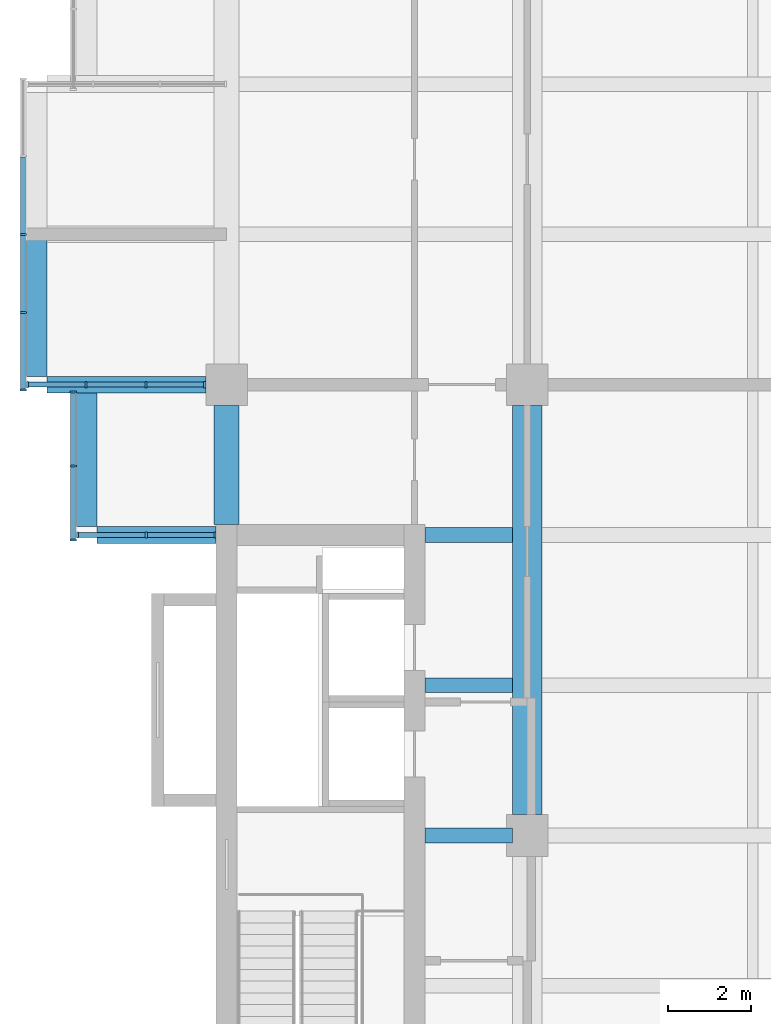
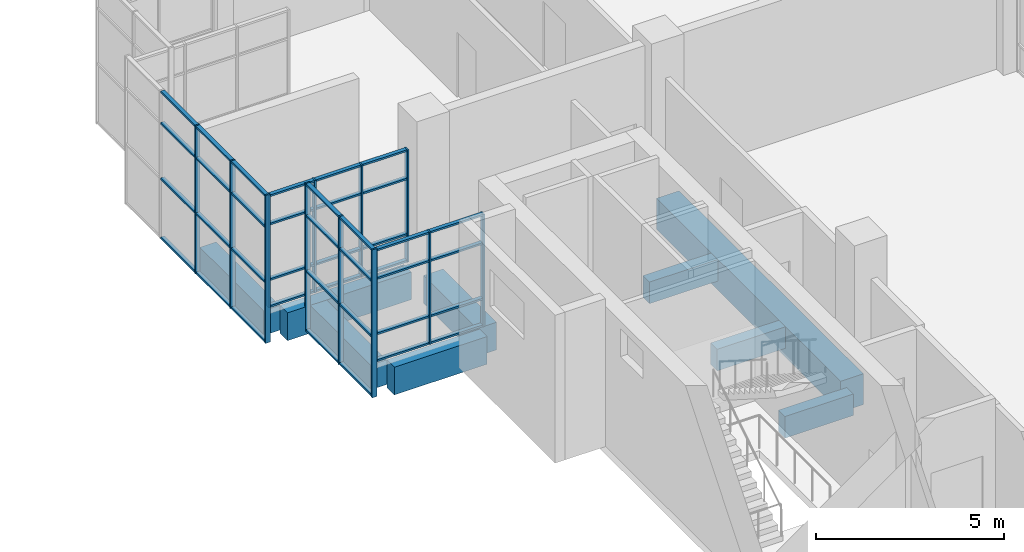
# One storey, part 7 of 44: 53 members, 9 beams, 4 elements without a shape of their own.
"""IFC4 building model written with IfcOpenShell, lengths in metres."""

from ifc_helpers import new_model, si_unit, direction, frame, origin, origin_2d, place, context, subcontext, project, spatial, rectangle, extrude, material, layer, layer_set, material_profile, profile_set, type_object, element, aggregate, save


model = new_model("IFC4")

# Units and contexts
model_context = context("Model", 3, precision=1e-05, world=origin(), true_north=direction((0.0, 1.0)))
body_context = subcontext(model_context, "Body", "Model", "MODEL_VIEW")
ifc_project = project(units=[si_unit("LENGTHUNIT", "METRE"), si_unit("AREAUNIT", "SQUARE_METRE"), si_unit("VOLUMEUNIT", "CUBIC_METRE"), si_unit("PLANEANGLEUNIT", "RADIAN"), si_unit("MASSUNIT", "GRAM", prefix="KILO")], contexts=[model_context])

# Site, building, storey
site_placement = place(None, origin())
site = spatial("IfcSite", under=ifc_project, at=site_placement, CompositionType="ELEMENT")
building_placement = place(site_placement, origin())
building = spatial("IfcBuilding", under=site, at=building_placement, Name="Basin Gate Institute", CompositionType="ELEMENT")
storey_placement = place(building_placement, frame((0.0, 0.0, 27.0)))
storey = spatial("IfcBuildingStorey", under=building, at=storey_placement, Name="L05", CompositionType="ELEMENT", Elevation=27.0)

# Beams
ifc_material_1 = material(Name="Concrete 40 MPa", Category="concrete")
ifc_material_profile_1 = material_profile(ifc_material_1, rectangle(XDim=0.35009765625, YDim=0.699951171875, at=origin_2d()), Name="Beam B1 350 x 700")
ifc_profile_set_1 = profile_set([ifc_material_profile_1], Name="Concrete 40 MPa")
beam_type_1 = type_object("IfcBeamType", Name="Beam B1 R120", PredefinedType="BEAM", material=ifc_profile_set_1)
for number, where, z_axis, x_axis, name in (
    (1, (65.949951171875, 67.5, -0.60009765625), (1.0, 0.0, 0.0), (0.0, 1.0, 0.0), "BEAM/L05/W/CORR/10"),
    (2, (65.949951171875, 71.10009765625, -0.60009765625), (1.0, 0.0, 0.0), (0.0, 1.0, 0.0), "BEAM/L05/W/CORR/11"),
    (3, (65.949951171875, 74.699951171875, -0.60009765625), (1.0, 0.0, 0.0), (0.0, 1.0, 0.0), "BEAM/L05/W/CORR/12"),
):
    element("IfcBeam", number, at=place(storey_placement, frame(where, z_axis=z_axis, x_axis=x_axis)), inside=storey, type_object=beam_type_1, material=ifc_profile_set_1, Name=name, PredefinedType="BEAM", context=body_context, shape_type="SweptSolid", body=[
        extrude(rectangle(XDim=0.35009765625, YDim=0.699951171875, at=origin_2d()), origin(), (0.0, 0.0, 1.0), 2.10009765625),
    ])
ifc_material_2 = material(Name="Concrete 50 MPa", Category="concrete")
ifc_material_profile_2 = material_profile(ifc_material_2, rectangle(XDim=0.39990234375, YDim=0.89990234375, at=origin_2d()), Name="Cantilever beam B3 400 x 900")
ifc_profile_set_2 = profile_set([ifc_material_profile_2], Name="Concrete 50 MPa")
beam_type_2 = type_object("IfcBeamType", Name="Cantilever beam B3 R120", PredefinedType="BEAM", material=ifc_profile_set_2)
beam_1_placement = place(storey_placement, frame((58.10009765625, 74.699951171875, -0.699951171875), z_axis=(1.0, 0.0, 0.0), x_axis=(0.0, 1.0, 0.0)))
element("IfcBeam", 4, at=beam_1_placement, inside=storey, type_object=beam_type_2, material=ifc_profile_set_2, Name="BEAM/L05/W/CANT/12", PredefinedType="BEAM", context=body_context, shape_type="SweptSolid", body=[
    extrude(rectangle(XDim=0.39990234375, YDim=0.89990234375, at=origin_2d()), origin(), (0.0, 0.0, 1.0), 2.849853515625),
])
beam_2_placement = place(storey_placement, frame((56.89990234375, 78.300048828125, -0.699951171875), z_axis=(1.0, 0.0, 0.0), x_axis=(0.0, 1.0, 0.0)))
element("IfcBeam", 5, at=beam_2_placement, inside=storey, type_object=beam_type_2, material=ifc_profile_set_2, Name="BEAM/L05/W/CANT/13", PredefinedType="BEAM", context=body_context, shape_type="SweptSolid", body=[
    extrude(rectangle(XDim=0.39990234375, YDim=0.89990234375, at=origin_2d()), origin(), (0.0, 0.0, 1.0), 3.800048828125),
])
ifc_material_3 = material(Name="Concrete 50 MPa", Category="concrete")
ifc_material_profile_3 = material_profile(ifc_material_3, rectangle(XDim=0.60009765625, YDim=0.89990234375, at=origin_2d()), Name="Edge return beam EB3 600 x 900")
ifc_profile_set_3 = profile_set([ifc_material_profile_3], Name="Concrete 50 MPa")
beam_type_3 = type_object("IfcBeamType", Name="Edge return beam EB3 R120", PredefinedType="SPANDREL", material=ifc_profile_set_3)
beam_3_placement = place(storey_placement, frame((61.199951171875, 74.949951171875, -0.699951171875), z_axis=(0.0, 1.0, 0.0), x_axis=(-1.0, 0.0, 0.0)))
element("IfcBeam", 6, at=beam_3_placement, inside=storey, type_object=beam_type_3, material=ifc_profile_set_3, Name="BEAM/L05/W/EDGE/3", PredefinedType="SPANDREL", context=body_context, shape_type="SweptSolid", body=[
    extrude(rectangle(XDim=0.60009765625, YDim=0.89990234375, at=origin_2d()), origin(), (0.0, 0.0, 1.0), 2.85009765625),
])
ifc_material_4 = material(Name="Concrete 50 MPa", Category="concrete")
ifc_material_profile_4 = material_profile(ifc_material_4, rectangle(XDim=0.699951171875, YDim=1.0, at=origin_2d()), Name="Girder G1 700 x 1000")
ifc_profile_set_4 = profile_set([ifc_material_profile_4], Name="Concrete 50 MPa")
beam_type_4 = type_object("IfcBeamType", Name="Girder G1 R120", PredefinedType="BEAM", material=ifc_profile_set_4)
beam_4_placement = place(storey_placement, frame((68.39990234375, 68.0, -0.75), z_axis=(0.0, 1.0, 0.0), x_axis=(-1.0, 0.0, 0.0)))
element("IfcBeam", 7, at=beam_4_placement, inside=storey, type_object=beam_type_4, material=ifc_profile_set_4, Name="GIR/L05/W5/4", PredefinedType="BEAM", context=body_context, shape_type="SweptSolid", body=[
    extrude(rectangle(XDim=0.699951171875, YDim=1.0, at=origin_2d()), origin(), (0.0, 0.0, 1.0), 9.800048828125),
])

# Curtain wall, members
ifc_material_5 = material(Name="Aluminium-framed glazing", Category="aluminium")
ifc_layer = layer(ifc_material_5, 0.14990234375)
ifc_layer_set = layer_set([ifc_layer], Name="Capsule front curtain wall CW1")
curtain_wall_type = type_object("IfcCurtainWallType", Name="Capsule front curtain wall CW1", PredefinedType="NOTDEFINED", material=ifc_layer_set)
curtain_wall_1_placement = place(storey_placement, origin())
curtain_wall_1 = element("IfcCurtainWall", 8, at=curtain_wall_1_placement, inside=storey, type_object=curtain_wall_type, material=ifc_layer_set, Name="Capsule front curtain wall W wing capsule end L05 line 12", PredefinedType="NOTDEFINED")
ifc_material_6 = material(Name="Aluminium", Category="aluminium")
ifc_material_profile_5 = material_profile(ifc_material_6, rectangle(XDim=0.14990234375, YDim=0.050048828125, at=origin_2d()), Name="Mullion MU1 150 x 50")
ifc_profile_set_5 = profile_set([ifc_material_profile_5], Name="Aluminium")
member_type_1 = type_object("IfcMemberType", Name="Mullion MU1", PredefinedType="MULLION", material=ifc_profile_set_5)
member_1_placement = place(storey_placement, frame((57.625, 74.699951171875, 0.0), z_axis=(0.0, 0.0, 1.0), x_axis=(0.0, 1.0, 0.0)))
member_1 = element("IfcMember", 9, at=member_1_placement, type_object=member_type_1, material=ifc_profile_set_5, Name="CW1 mullion 1", PredefinedType="MULLION", context=body_context, shape_type="SweptSolid", body=[
    extrude(rectangle(XDim=0.14990234375, YDim=0.050048828125, at=origin_2d()), origin(), (0.0, 0.0, 1.0), 3.64990234375),
])
member_2_placement = place(storey_placement, frame((59.27490234375, 74.699951171875, 0.0), z_axis=(0.0, 0.0, 1.0), x_axis=(0.0, 1.0, 0.0)))
member_2 = element("IfcMember", 10, at=member_2_placement, type_object=member_type_1, material=ifc_profile_set_5, Name="CW1 mullion 2", PredefinedType="MULLION", context=body_context, shape_type="SweptSolid", body=[
    extrude(rectangle(XDim=0.14990234375, YDim=0.050048828125, at=origin_2d()), origin(), (0.0, 0.0, 1.0), 3.64990234375),
])
member_3_placement = place(storey_placement, frame((60.925048828125, 74.699951171875, 0.0), z_axis=(0.0, 0.0, 1.0), x_axis=(0.0, 1.0, 0.0)))
member_3 = element("IfcMember", 11, at=member_3_placement, type_object=member_type_1, material=ifc_profile_set_5, Name="CW1 mullion 3", PredefinedType="MULLION", context=body_context, shape_type="SweptSolid", body=[
    extrude(rectangle(XDim=0.14990234375, YDim=0.050048828125, at=origin_2d()), origin(), (0.0, 0.0, 1.0), 3.64990234375),
])

curtain_wall_2_placement = place(storey_placement, origin())
curtain_wall_2 = element("IfcCurtainWall", 12, at=curtain_wall_2_placement, inside=storey, type_object=curtain_wall_type, material=ifc_layer_set, Name="Capsule front curtain wall W wing capsule end L05 line 13", PredefinedType="NOTDEFINED")
member_4_placement = place(storey_placement, frame((56.425048828125, 78.300048828125, 0.0), z_axis=(0.0, 0.0, 1.0), x_axis=(0.0, 1.0, 0.0)))
member_4 = element("IfcMember", 13, at=member_4_placement, type_object=member_type_1, material=ifc_profile_set_5, Name="CW1 mullion 1", PredefinedType="MULLION", context=body_context, shape_type="SweptSolid", body=[
    extrude(rectangle(XDim=0.14990234375, YDim=0.050048828125, at=origin_2d()), origin(), (0.0, 0.0, 1.0), 3.64990234375),
])
member_5_placement = place(storey_placement, frame((57.833251953125, 78.300048828125, 0.0), z_axis=(0.0, 0.0, 1.0), x_axis=(0.0, 1.0, 0.0)))
member_5 = element("IfcMember", 14, at=member_5_placement, type_object=member_type_1, material=ifc_profile_set_5, Name="CW1 mullion 2", PredefinedType="MULLION", context=body_context, shape_type="SweptSolid", body=[
    extrude(rectangle(XDim=0.14990234375, YDim=0.050048828125, at=origin_2d()), origin(), (0.0, 0.0, 1.0), 3.64990234375),
])
member_6_placement = place(storey_placement, frame((59.2666015625, 78.300048828125, 0.0), z_axis=(0.0, 0.0, 1.0), x_axis=(0.0, 1.0, 0.0)))
member_6 = element("IfcMember", 15, at=member_6_placement, type_object=member_type_1, material=ifc_profile_set_5, Name="CW1 mullion 3", PredefinedType="MULLION", context=body_context, shape_type="SweptSolid", body=[
    extrude(rectangle(XDim=0.14990234375, YDim=0.050048828125, at=origin_2d()), origin(), (0.0, 0.0, 1.0), 3.64990234375),
])
member_7_placement = place(storey_placement, frame((60.675048828125, 78.300048828125, 0.0), z_axis=(0.0, 0.0, 1.0), x_axis=(0.0, 1.0, 0.0)))
member_7 = element("IfcMember", 16, at=member_7_placement, type_object=member_type_1, material=ifc_profile_set_5, Name="CW1 mullion 4", PredefinedType="MULLION", context=body_context, shape_type="SweptSolid", body=[
    extrude(rectangle(XDim=0.14990234375, YDim=0.050048828125, at=origin_2d()), origin(), (0.0, 0.0, 1.0), 3.64990234375),
])

curtain_wall_3_placement = place(storey_placement, origin())
curtain_wall_3 = element("IfcCurtainWall", 17, at=curtain_wall_3_placement, inside=storey, type_object=curtain_wall_type, material=ifc_layer_set, Name="Capsule front curtain wall W wing capsule 2 L05 front 1", PredefinedType="NOTDEFINED")
member_8_placement = place(storey_placement, frame((57.52490234375, 74.574951171875, -1.050048828125), z_axis=(0.0, 0.0, 1.0), x_axis=(-1.0, 0.0, 0.0)))
member_8 = element("IfcMember", 18, at=member_8_placement, type_object=member_type_1, material=ifc_profile_set_5, Name="CW1 mullion 1", PredefinedType="MULLION", context=body_context, shape_type="SweptSolid", body=[
    extrude(rectangle(XDim=0.14990234375, YDim=0.050048828125, at=origin_2d()), origin(), (0.0, 0.0, 1.0), 4.800048828125),
])
member_9_placement = place(storey_placement, frame((57.52490234375, 76.35009765625, -1.050048828125), z_axis=(0.0, 0.0, 1.0), x_axis=(-1.0, 0.0, 0.0)))
member_9 = element("IfcMember", 19, at=member_9_placement, type_object=member_type_1, material=ifc_profile_set_5, Name="CW1 mullion 2", PredefinedType="MULLION", context=body_context, shape_type="SweptSolid", body=[
    extrude(rectangle(XDim=0.14990234375, YDim=0.050048828125, at=origin_2d()), origin(), (0.0, 0.0, 1.0), 4.800048828125),
])
member_10_placement = place(storey_placement, frame((57.52490234375, 78.125, -1.050048828125), z_axis=(0.0, 0.0, 1.0), x_axis=(-1.0, 0.0, 0.0)))
member_10 = element("IfcMember", 20, at=member_10_placement, type_object=member_type_1, material=ifc_profile_set_5, Name="CW1 mullion 3", PredefinedType="MULLION", context=body_context, shape_type="SweptSolid", body=[
    extrude(rectangle(XDim=0.14990234375, YDim=0.050048828125, at=origin_2d()), origin(), (0.0, 0.0, 1.0), 4.800048828125),
])

curtain_wall_4_placement = place(storey_placement, origin())
curtain_wall_4 = element("IfcCurtainWall", 21, at=curtain_wall_4_placement, inside=storey, type_object=curtain_wall_type, material=ifc_layer_set, Name="Capsule front curtain wall W wing capsule 2 L05 front 2", PredefinedType="NOTDEFINED")
member_11_placement = place(storey_placement, frame((56.324951171875, 78.175048828125, -1.050048828125), z_axis=(0.0, 0.0, 1.0), x_axis=(-1.0, 0.0, 0.0)))
member_11 = element("IfcMember", 22, at=member_11_placement, type_object=member_type_1, material=ifc_profile_set_5, Name="CW1 mullion 1", PredefinedType="MULLION", context=body_context, shape_type="SweptSolid", body=[
    extrude(rectangle(XDim=0.14990234375, YDim=0.050048828125, at=origin_2d()), origin(), (0.0, 0.0, 1.0), 4.800048828125),
])
member_12_placement = place(storey_placement, frame((56.324951171875, 80.02490234375, -1.050048828125), z_axis=(0.0, 0.0, 1.0), x_axis=(-1.0, 0.0, 0.0)))
member_12 = element("IfcMember", 23, at=member_12_placement, type_object=member_type_1, material=ifc_profile_set_5, Name="CW1 mullion 2", PredefinedType="MULLION", context=body_context, shape_type="SweptSolid", body=[
    extrude(rectangle(XDim=0.14990234375, YDim=0.050048828125, at=origin_2d()), origin(), (0.0, 0.0, 1.0), 4.800048828125),
])
member_13_placement = place(storey_placement, frame((56.324951171875, 81.89990234375, -1.050048828125), z_axis=(0.0, 0.0, 1.0), x_axis=(-1.0, 0.0, 0.0)))
member_13 = element("IfcMember", 24, at=member_13_placement, type_object=member_type_1, material=ifc_profile_set_5, Name="CW1 mullion 3", PredefinedType="MULLION", context=body_context, shape_type="SweptSolid", body=[
    extrude(rectangle(XDim=0.14990234375, YDim=0.050048828125, at=origin_2d()), origin(), (0.0, 0.0, 1.0), 4.800048828125),
])

# Beams
ifc_material_7 = material(Name="Concrete 50 MPa", Category="concrete")
ifc_material_profile_6 = material_profile(ifc_material_7, rectangle(XDim=0.5, YDim=0.800048828125, at=origin_2d()), Name="Tip beam TB1 500 x 800")
ifc_profile_set_6 = profile_set([ifc_material_profile_6], Name="Concrete 50 MPa")
beam_type_5 = type_object("IfcBeamType", Name="Tip beam TB1 R120", PredefinedType="SPANDREL", material=ifc_profile_set_6)
beam_5_placement = place(storey_placement, frame((57.85009765625, 74.89990234375, -0.64990234375), z_axis=(0.0, 1.0, 0.0), x_axis=(-1.0, 0.0, 0.0)))
element("IfcBeam", 25, at=beam_5_placement, inside=storey, type_object=beam_type_5, material=ifc_profile_set_6, Name="BEAM/L05/W/TIP/5", PredefinedType="SPANDREL", context=body_context, shape_type="SweptSolid", body=[
    extrude(rectangle(XDim=0.5, YDim=0.800048828125, at=origin_2d()), origin(), (0.0, 0.0, 1.0), 3.2001953125),
])
beam_6_placement = place(storey_placement, frame((56.64990234375, 78.5, -0.64990234375), z_axis=(0.0, 1.0, 0.0), x_axis=(-1.0, 0.0, 0.0)))
element("IfcBeam", 26, at=beam_6_placement, inside=storey, type_object=beam_type_5, material=ifc_profile_set_6, Name="BEAM/L05/W/TIP/6", PredefinedType="SPANDREL", context=body_context, shape_type="SweptSolid", body=[
    extrude(rectangle(XDim=0.5, YDim=0.800048828125, at=origin_2d()), origin(), (0.0, 0.0, 1.0), 3.39990234375),
])

# Member
ifc_material_8 = material(Name="Aluminium", Category="aluminium")
ifc_material_profile_7 = material_profile(ifc_material_8, rectangle(XDim=0.1201171875, YDim=0.06005859375, at=origin_2d()), Name="Transom TR1 120 x 60")
ifc_profile_set_7 = profile_set([ifc_material_profile_7], Name="Aluminium")
member_type_2 = type_object("IfcMemberType", Name="Transom TR1", PredefinedType="USERDEFINED", material=ifc_profile_set_7)
member_14_placement = place(storey_placement, frame((57.64990234375, 74.699951171875, 0.030029296875), z_axis=(1.0, 0.0, 0.0), x_axis=(0.0, 1.0, 0.0)))
member_14 = element("IfcMember", 27, at=member_14_placement, type_object=member_type_2, material=ifc_profile_set_7, Name="CW1 transom 1.1", ObjectType="TRANSOM", PredefinedType="USERDEFINED", context=body_context, shape_type="SweptSolid", body=[
    extrude(rectangle(XDim=0.1201171875, YDim=0.06005859375, at=origin_2d()), origin(), (0.0, 0.0, 1.0), 1.60009765625),
])

member_15_placement = place(storey_placement, frame((57.64990234375, 74.699951171875, 0.89990234375), z_axis=(1.0, 0.0, 0.0), x_axis=(0.0, 1.0, 0.0)))
member_15 = element("IfcMember", 28, at=member_15_placement, type_object=member_type_2, material=ifc_profile_set_7, Name="CW1 transom 1.2", ObjectType="TRANSOM", PredefinedType="USERDEFINED", context=body_context, shape_type="SweptSolid", body=[
    extrude(rectangle(XDim=0.1201171875, YDim=0.06005859375, at=origin_2d()), origin(), (0.0, 0.0, 1.0), 1.60009765625),
])

member_16_placement = place(storey_placement, frame((57.64990234375, 74.699951171875, 2.699951171875), z_axis=(1.0, 0.0, 0.0), x_axis=(0.0, 1.0, 0.0)))
member_16 = element("IfcMember", 29, at=member_16_placement, type_object=member_type_2, material=ifc_profile_set_7, Name="CW1 transom 1.3", ObjectType="TRANSOM", PredefinedType="USERDEFINED", context=body_context, shape_type="SweptSolid", body=[
    extrude(rectangle(XDim=0.1201171875, YDim=0.06005859375, at=origin_2d()), origin(), (0.0, 0.0, 1.0), 1.60009765625),
])

member_17_placement = place(storey_placement, frame((57.64990234375, 74.699951171875, 3.6201171875), z_axis=(1.0, 0.0, 0.0), x_axis=(0.0, 1.0, 0.0)))
member_17 = element("IfcMember", 30, at=member_17_placement, type_object=member_type_2, material=ifc_profile_set_7, Name="CW1 transom 1.4", ObjectType="TRANSOM", PredefinedType="USERDEFINED", context=body_context, shape_type="SweptSolid", body=[
    extrude(rectangle(XDim=0.1201171875, YDim=0.06005859375, at=origin_2d()), origin(), (0.0, 0.0, 1.0), 1.60009765625),
])

member_18_placement = place(storey_placement, frame((59.300048828125, 74.699951171875, 0.030029296875), z_axis=(1.0, 0.0, 0.0), x_axis=(0.0, 1.0, 0.0)))
member_18 = element("IfcMember", 31, at=member_18_placement, type_object=member_type_2, material=ifc_profile_set_7, Name="CW1 transom 2.1", ObjectType="TRANSOM", PredefinedType="USERDEFINED", context=body_context, shape_type="SweptSolid", body=[
    extrude(rectangle(XDim=0.1201171875, YDim=0.06005859375, at=origin_2d()), origin(), (0.0, 0.0, 1.0), 1.599853515625),
])

member_19_placement = place(storey_placement, frame((59.300048828125, 74.699951171875, 0.89990234375), z_axis=(1.0, 0.0, 0.0), x_axis=(0.0, 1.0, 0.0)))
member_19 = element("IfcMember", 32, at=member_19_placement, type_object=member_type_2, material=ifc_profile_set_7, Name="CW1 transom 2.2", ObjectType="TRANSOM", PredefinedType="USERDEFINED", context=body_context, shape_type="SweptSolid", body=[
    extrude(rectangle(XDim=0.1201171875, YDim=0.06005859375, at=origin_2d()), origin(), (0.0, 0.0, 1.0), 1.599853515625),
])

member_20_placement = place(storey_placement, frame((59.300048828125, 74.699951171875, 2.699951171875), z_axis=(1.0, 0.0, 0.0), x_axis=(0.0, 1.0, 0.0)))
member_20 = element("IfcMember", 33, at=member_20_placement, type_object=member_type_2, material=ifc_profile_set_7, Name="CW1 transom 2.3", ObjectType="TRANSOM", PredefinedType="USERDEFINED", context=body_context, shape_type="SweptSolid", body=[
    extrude(rectangle(XDim=0.1201171875, YDim=0.06005859375, at=origin_2d()), origin(), (0.0, 0.0, 1.0), 1.599853515625),
])

member_21_placement = place(storey_placement, frame((59.300048828125, 74.699951171875, 3.6201171875), z_axis=(1.0, 0.0, 0.0), x_axis=(0.0, 1.0, 0.0)))
member_21 = element("IfcMember", 34, at=member_21_placement, type_object=member_type_2, material=ifc_profile_set_7, Name="CW1 transom 2.4", ObjectType="TRANSOM", PredefinedType="USERDEFINED", context=body_context, shape_type="SweptSolid", body=[
    extrude(rectangle(XDim=0.1201171875, YDim=0.06005859375, at=origin_2d()), origin(), (0.0, 0.0, 1.0), 1.599853515625),
])

aggregate(curtain_wall_1, [member_1, member_2, member_3, member_14, member_15, member_16, member_17, member_18, member_19, member_20, member_21])

member_22_placement = place(storey_placement, frame((56.449951171875, 78.300048828125, 0.030029296875), z_axis=(1.0, 0.0, 0.0), x_axis=(0.0, 1.0, 0.0)))
member_22 = element("IfcMember", 35, at=member_22_placement, type_object=member_type_2, material=ifc_profile_set_7, Name="CW1 transom 1.1", ObjectType="TRANSOM", PredefinedType="USERDEFINED", context=body_context, shape_type="SweptSolid", body=[
    extrude(rectangle(XDim=0.1201171875, YDim=0.06005859375, at=origin_2d()), origin(), (0.0, 0.0, 1.0), 1.3583984375),
])

member_23_placement = place(storey_placement, frame((56.449951171875, 78.300048828125, 0.89990234375), z_axis=(1.0, 0.0, 0.0), x_axis=(0.0, 1.0, 0.0)))
member_23 = element("IfcMember", 36, at=member_23_placement, type_object=member_type_2, material=ifc_profile_set_7, Name="CW1 transom 1.2", ObjectType="TRANSOM", PredefinedType="USERDEFINED", context=body_context, shape_type="SweptSolid", body=[
    extrude(rectangle(XDim=0.1201171875, YDim=0.06005859375, at=origin_2d()), origin(), (0.0, 0.0, 1.0), 1.3583984375),
])

member_24_placement = place(storey_placement, frame((56.449951171875, 78.300048828125, 2.699951171875), z_axis=(1.0, 0.0, 0.0), x_axis=(0.0, 1.0, 0.0)))
member_24 = element("IfcMember", 37, at=member_24_placement, type_object=member_type_2, material=ifc_profile_set_7, Name="CW1 transom 1.3", ObjectType="TRANSOM", PredefinedType="USERDEFINED", context=body_context, shape_type="SweptSolid", body=[
    extrude(rectangle(XDim=0.1201171875, YDim=0.06005859375, at=origin_2d()), origin(), (0.0, 0.0, 1.0), 1.3583984375),
])

member_25_placement = place(storey_placement, frame((56.449951171875, 78.300048828125, 3.6201171875), z_axis=(1.0, 0.0, 0.0), x_axis=(0.0, 1.0, 0.0)))
member_25 = element("IfcMember", 38, at=member_25_placement, type_object=member_type_2, material=ifc_profile_set_7, Name="CW1 transom 1.4", ObjectType="TRANSOM", PredefinedType="USERDEFINED", context=body_context, shape_type="SweptSolid", body=[
    extrude(rectangle(XDim=0.1201171875, YDim=0.06005859375, at=origin_2d()), origin(), (0.0, 0.0, 1.0), 1.3583984375),
])

member_26_placement = place(storey_placement, frame((57.8583984375, 78.300048828125, 0.030029296875), z_axis=(1.0, 0.0, 0.0), x_axis=(0.0, 1.0, 0.0)))
member_26 = element("IfcMember", 39, at=member_26_placement, type_object=member_type_2, material=ifc_profile_set_7, Name="CW1 transom 2.1", ObjectType="TRANSOM", PredefinedType="USERDEFINED", context=body_context, shape_type="SweptSolid", body=[
    extrude(rectangle(XDim=0.1201171875, YDim=0.06005859375, at=origin_2d()), origin(), (0.0, 0.0, 1.0), 1.38330078125),
])

member_27_placement = place(storey_placement, frame((57.8583984375, 78.300048828125, 0.89990234375), z_axis=(1.0, 0.0, 0.0), x_axis=(0.0, 1.0, 0.0)))
member_27 = element("IfcMember", 40, at=member_27_placement, type_object=member_type_2, material=ifc_profile_set_7, Name="CW1 transom 2.2", ObjectType="TRANSOM", PredefinedType="USERDEFINED", context=body_context, shape_type="SweptSolid", body=[
    extrude(rectangle(XDim=0.1201171875, YDim=0.06005859375, at=origin_2d()), origin(), (0.0, 0.0, 1.0), 1.38330078125),
])

member_28_placement = place(storey_placement, frame((57.8583984375, 78.300048828125, 2.699951171875), z_axis=(1.0, 0.0, 0.0), x_axis=(0.0, 1.0, 0.0)))
member_28 = element("IfcMember", 41, at=member_28_placement, type_object=member_type_2, material=ifc_profile_set_7, Name="CW1 transom 2.3", ObjectType="TRANSOM", PredefinedType="USERDEFINED", context=body_context, shape_type="SweptSolid", body=[
    extrude(rectangle(XDim=0.1201171875, YDim=0.06005859375, at=origin_2d()), origin(), (0.0, 0.0, 1.0), 1.38330078125),
])

member_29_placement = place(storey_placement, frame((57.8583984375, 78.300048828125, 3.6201171875), z_axis=(1.0, 0.0, 0.0), x_axis=(0.0, 1.0, 0.0)))
member_29 = element("IfcMember", 42, at=member_29_placement, type_object=member_type_2, material=ifc_profile_set_7, Name="CW1 transom 2.4", ObjectType="TRANSOM", PredefinedType="USERDEFINED", context=body_context, shape_type="SweptSolid", body=[
    extrude(rectangle(XDim=0.1201171875, YDim=0.06005859375, at=origin_2d()), origin(), (0.0, 0.0, 1.0), 1.38330078125),
])

member_30_placement = place(storey_placement, frame((59.291748046875, 78.300048828125, 0.030029296875), z_axis=(1.0, 0.0, 0.0), x_axis=(0.0, 1.0, 0.0)))
member_30 = element("IfcMember", 43, at=member_30_placement, type_object=member_type_2, material=ifc_profile_set_7, Name="CW1 transom 3.1", ObjectType="TRANSOM", PredefinedType="USERDEFINED", context=body_context, shape_type="SweptSolid", body=[
    extrude(rectangle(XDim=0.1201171875, YDim=0.06005859375, at=origin_2d()), origin(), (0.0, 0.0, 1.0), 1.358154296875),
])

member_31_placement = place(storey_placement, frame((59.291748046875, 78.300048828125, 0.89990234375), z_axis=(1.0, 0.0, 0.0), x_axis=(0.0, 1.0, 0.0)))
member_31 = element("IfcMember", 44, at=member_31_placement, type_object=member_type_2, material=ifc_profile_set_7, Name="CW1 transom 3.2", ObjectType="TRANSOM", PredefinedType="USERDEFINED", context=body_context, shape_type="SweptSolid", body=[
    extrude(rectangle(XDim=0.1201171875, YDim=0.06005859375, at=origin_2d()), origin(), (0.0, 0.0, 1.0), 1.358154296875),
])

member_32_placement = place(storey_placement, frame((59.291748046875, 78.300048828125, 2.699951171875), z_axis=(1.0, 0.0, 0.0), x_axis=(0.0, 1.0, 0.0)))
member_32 = element("IfcMember", 45, at=member_32_placement, type_object=member_type_2, material=ifc_profile_set_7, Name="CW1 transom 3.3", ObjectType="TRANSOM", PredefinedType="USERDEFINED", context=body_context, shape_type="SweptSolid", body=[
    extrude(rectangle(XDim=0.1201171875, YDim=0.06005859375, at=origin_2d()), origin(), (0.0, 0.0, 1.0), 1.358154296875),
])

member_33_placement = place(storey_placement, frame((59.291748046875, 78.300048828125, 3.6201171875), z_axis=(1.0, 0.0, 0.0), x_axis=(0.0, 1.0, 0.0)))
member_33 = element("IfcMember", 46, at=member_33_placement, type_object=member_type_2, material=ifc_profile_set_7, Name="CW1 transom 3.4", ObjectType="TRANSOM", PredefinedType="USERDEFINED", context=body_context, shape_type="SweptSolid", body=[
    extrude(rectangle(XDim=0.1201171875, YDim=0.06005859375, at=origin_2d()), origin(), (0.0, 0.0, 1.0), 1.358154296875),
])

aggregate(curtain_wall_2, [member_4, member_5, member_6, member_7, member_22, member_23, member_24, member_25, member_26, member_27, member_28, member_29, member_30, member_31, member_32, member_33])

member_34_placement = place(storey_placement, frame((57.52490234375, 74.60009765625, -1.02001953125), z_axis=(0.0, 1.0, 0.0), x_axis=(-1.0, 0.0, 0.0)))
member_34 = element("IfcMember", 47, at=member_34_placement, type_object=member_type_2, material=ifc_profile_set_7, Name="CW1 transom 1.1", ObjectType="TRANSOM", PredefinedType="USERDEFINED", context=body_context, shape_type="SweptSolid", body=[
    extrude(rectangle(XDim=0.1201171875, YDim=0.06005859375, at=origin_2d()), origin(), (0.0, 0.0, 1.0), 1.724853515625),
])

member_35_placement = place(storey_placement, frame((57.52490234375, 74.60009765625, 0.89990234375), z_axis=(0.0, 1.0, 0.0), x_axis=(-1.0, 0.0, 0.0)))
member_35 = element("IfcMember", 48, at=member_35_placement, type_object=member_type_2, material=ifc_profile_set_7, Name="CW1 transom 1.2", ObjectType="TRANSOM", PredefinedType="USERDEFINED", context=body_context, shape_type="SweptSolid", body=[
    extrude(rectangle(XDim=0.1201171875, YDim=0.06005859375, at=origin_2d()), origin(), (0.0, 0.0, 1.0), 1.724853515625),
])

member_36_placement = place(storey_placement, frame((57.52490234375, 74.60009765625, 2.699951171875), z_axis=(0.0, 1.0, 0.0), x_axis=(-1.0, 0.0, 0.0)))
member_36 = element("IfcMember", 49, at=member_36_placement, type_object=member_type_2, material=ifc_profile_set_7, Name="CW1 transom 1.3", ObjectType="TRANSOM", PredefinedType="USERDEFINED", context=body_context, shape_type="SweptSolid", body=[
    extrude(rectangle(XDim=0.1201171875, YDim=0.06005859375, at=origin_2d()), origin(), (0.0, 0.0, 1.0), 1.724853515625),
])

member_37_placement = place(storey_placement, frame((57.52490234375, 74.60009765625, 3.719970703125), z_axis=(0.0, 1.0, 0.0), x_axis=(-1.0, 0.0, 0.0)))
member_37 = element("IfcMember", 50, at=member_37_placement, type_object=member_type_2, material=ifc_profile_set_7, Name="CW1 transom 1.4", ObjectType="TRANSOM", PredefinedType="USERDEFINED", context=body_context, shape_type="SweptSolid", body=[
    extrude(rectangle(XDim=0.1201171875, YDim=0.06005859375, at=origin_2d()), origin(), (0.0, 0.0, 1.0), 1.724853515625),
])

member_38_placement = place(storey_placement, frame((57.52490234375, 76.375, -1.02001953125), z_axis=(0.0, 1.0, 0.0), x_axis=(-1.0, 0.0, 0.0)))
member_38 = element("IfcMember", 51, at=member_38_placement, type_object=member_type_2, material=ifc_profile_set_7, Name="CW1 transom 2.1", ObjectType="TRANSOM", PredefinedType="USERDEFINED", context=body_context, shape_type="SweptSolid", body=[
    extrude(rectangle(XDim=0.1201171875, YDim=0.06005859375, at=origin_2d()), origin(), (0.0, 0.0, 1.0), 1.72509765625),
])

member_39_placement = place(storey_placement, frame((57.52490234375, 76.375, 0.89990234375), z_axis=(0.0, 1.0, 0.0), x_axis=(-1.0, 0.0, 0.0)))
member_39 = element("IfcMember", 52, at=member_39_placement, type_object=member_type_2, material=ifc_profile_set_7, Name="CW1 transom 2.2", ObjectType="TRANSOM", PredefinedType="USERDEFINED", context=body_context, shape_type="SweptSolid", body=[
    extrude(rectangle(XDim=0.1201171875, YDim=0.06005859375, at=origin_2d()), origin(), (0.0, 0.0, 1.0), 1.72509765625),
])

member_40_placement = place(storey_placement, frame((57.52490234375, 76.375, 2.699951171875), z_axis=(0.0, 1.0, 0.0), x_axis=(-1.0, 0.0, 0.0)))
member_40 = element("IfcMember", 53, at=member_40_placement, type_object=member_type_2, material=ifc_profile_set_7, Name="CW1 transom 2.3", ObjectType="TRANSOM", PredefinedType="USERDEFINED", context=body_context, shape_type="SweptSolid", body=[
    extrude(rectangle(XDim=0.1201171875, YDim=0.06005859375, at=origin_2d()), origin(), (0.0, 0.0, 1.0), 1.72509765625),
])

member_41_placement = place(storey_placement, frame((57.52490234375, 76.375, 3.719970703125), z_axis=(0.0, 1.0, 0.0), x_axis=(-1.0, 0.0, 0.0)))
member_41 = element("IfcMember", 54, at=member_41_placement, type_object=member_type_2, material=ifc_profile_set_7, Name="CW1 transom 2.4", ObjectType="TRANSOM", PredefinedType="USERDEFINED", context=body_context, shape_type="SweptSolid", body=[
    extrude(rectangle(XDim=0.1201171875, YDim=0.06005859375, at=origin_2d()), origin(), (0.0, 0.0, 1.0), 1.72509765625),
])

aggregate(curtain_wall_3, [member_8, member_9, member_10, member_34, member_35, member_36, member_37, member_38, member_39, member_40, member_41])

member_42_placement = place(storey_placement, frame((56.324951171875, 78.199951171875, -1.02001953125), z_axis=(0.0, 1.0, 0.0), x_axis=(-1.0, 0.0, 0.0)))
member_42 = element("IfcMember", 55, at=member_42_placement, type_object=member_type_2, material=ifc_profile_set_7, Name="CW1 transom 1.1", ObjectType="TRANSOM", PredefinedType="USERDEFINED", context=body_context, shape_type="SweptSolid", body=[
    extrude(rectangle(XDim=0.1201171875, YDim=0.06005859375, at=origin_2d()), origin(), (0.0, 0.0, 1.0), 1.800048828125),
])

member_43_placement = place(storey_placement, frame((56.324951171875, 78.199951171875, 0.89990234375), z_axis=(0.0, 1.0, 0.0), x_axis=(-1.0, 0.0, 0.0)))
member_43 = element("IfcMember", 56, at=member_43_placement, type_object=member_type_2, material=ifc_profile_set_7, Name="CW1 transom 1.2", ObjectType="TRANSOM", PredefinedType="USERDEFINED", context=body_context, shape_type="SweptSolid", body=[
    extrude(rectangle(XDim=0.1201171875, YDim=0.06005859375, at=origin_2d()), origin(), (0.0, 0.0, 1.0), 1.800048828125),
])

member_44_placement = place(storey_placement, frame((56.324951171875, 78.199951171875, 2.699951171875), z_axis=(0.0, 1.0, 0.0), x_axis=(-1.0, 0.0, 0.0)))
member_44 = element("IfcMember", 57, at=member_44_placement, type_object=member_type_2, material=ifc_profile_set_7, Name="CW1 transom 1.3", ObjectType="TRANSOM", PredefinedType="USERDEFINED", context=body_context, shape_type="SweptSolid", body=[
    extrude(rectangle(XDim=0.1201171875, YDim=0.06005859375, at=origin_2d()), origin(), (0.0, 0.0, 1.0), 1.800048828125),
])

member_45_placement = place(storey_placement, frame((56.324951171875, 78.199951171875, 3.719970703125), z_axis=(0.0, 1.0, 0.0), x_axis=(-1.0, 0.0, 0.0)))
member_45 = element("IfcMember", 58, at=member_45_placement, type_object=member_type_2, material=ifc_profile_set_7, Name="CW1 transom 1.4", ObjectType="TRANSOM", PredefinedType="USERDEFINED", context=body_context, shape_type="SweptSolid", body=[
    extrude(rectangle(XDim=0.1201171875, YDim=0.06005859375, at=origin_2d()), origin(), (0.0, 0.0, 1.0), 1.800048828125),
])

member_46_placement = place(storey_placement, frame((56.324951171875, 80.050048828125, -1.02001953125), z_axis=(0.0, 1.0, 0.0), x_axis=(-1.0, 0.0, 0.0)))
member_46 = element("IfcMember", 59, at=member_46_placement, type_object=member_type_2, material=ifc_profile_set_7, Name="CW1 transom 2.1", ObjectType="TRANSOM", PredefinedType="USERDEFINED", context=body_context, shape_type="SweptSolid", body=[
    extrude(rectangle(XDim=0.1201171875, YDim=0.06005859375, at=origin_2d()), origin(), (0.0, 0.0, 1.0), 1.824951171875),
])

member_47_placement = place(storey_placement, frame((56.324951171875, 80.050048828125, 0.89990234375), z_axis=(0.0, 1.0, 0.0), x_axis=(-1.0, 0.0, 0.0)))
member_47 = element("IfcMember", 60, at=member_47_placement, type_object=member_type_2, material=ifc_profile_set_7, Name="CW1 transom 2.2", ObjectType="TRANSOM", PredefinedType="USERDEFINED", context=body_context, shape_type="SweptSolid", body=[
    extrude(rectangle(XDim=0.1201171875, YDim=0.06005859375, at=origin_2d()), origin(), (0.0, 0.0, 1.0), 1.824951171875),
])

member_48_placement = place(storey_placement, frame((56.324951171875, 80.050048828125, 2.699951171875), z_axis=(0.0, 1.0, 0.0), x_axis=(-1.0, 0.0, 0.0)))
member_48 = element("IfcMember", 61, at=member_48_placement, type_object=member_type_2, material=ifc_profile_set_7, Name="CW1 transom 2.3", ObjectType="TRANSOM", PredefinedType="USERDEFINED", context=body_context, shape_type="SweptSolid", body=[
    extrude(rectangle(XDim=0.1201171875, YDim=0.06005859375, at=origin_2d()), origin(), (0.0, 0.0, 1.0), 1.824951171875),
])

member_49_placement = place(storey_placement, frame((56.324951171875, 80.050048828125, 3.719970703125), z_axis=(0.0, 1.0, 0.0), x_axis=(-1.0, 0.0, 0.0)))
member_49 = element("IfcMember", 62, at=member_49_placement, type_object=member_type_2, material=ifc_profile_set_7, Name="CW1 transom 2.4", ObjectType="TRANSOM", PredefinedType="USERDEFINED", context=body_context, shape_type="SweptSolid", body=[
    extrude(rectangle(XDim=0.1201171875, YDim=0.06005859375, at=origin_2d()), origin(), (0.0, 0.0, 1.0), 1.824951171875),
])

member_50_placement = place(storey_placement, frame((56.324951171875, 81.925048828125, -1.02001953125), z_axis=(0.0, 1.0, 0.0), x_axis=(-1.0, 0.0, 0.0)))
member_50 = element("IfcMember", 63, at=member_50_placement, type_object=member_type_2, material=ifc_profile_set_7, Name="CW1 transom 3.1", ObjectType="TRANSOM", PredefinedType="USERDEFINED", context=body_context, shape_type="SweptSolid", body=[
    extrude(rectangle(XDim=0.1201171875, YDim=0.06005859375, at=origin_2d()), origin(), (0.0, 0.0, 1.0), 1.824951171875),
])

member_51_placement = place(storey_placement, frame((56.324951171875, 81.925048828125, 0.89990234375), z_axis=(0.0, 1.0, 0.0), x_axis=(-1.0, 0.0, 0.0)))
member_51 = element("IfcMember", 64, at=member_51_placement, type_object=member_type_2, material=ifc_profile_set_7, Name="CW1 transom 3.2", ObjectType="TRANSOM", PredefinedType="USERDEFINED", context=body_context, shape_type="SweptSolid", body=[
    extrude(rectangle(XDim=0.1201171875, YDim=0.06005859375, at=origin_2d()), origin(), (0.0, 0.0, 1.0), 1.824951171875),
])

member_52_placement = place(storey_placement, frame((56.324951171875, 81.925048828125, 2.699951171875), z_axis=(0.0, 1.0, 0.0), x_axis=(-1.0, 0.0, 0.0)))
member_52 = element("IfcMember", 65, at=member_52_placement, type_object=member_type_2, material=ifc_profile_set_7, Name="CW1 transom 3.3", ObjectType="TRANSOM", PredefinedType="USERDEFINED", context=body_context, shape_type="SweptSolid", body=[
    extrude(rectangle(XDim=0.1201171875, YDim=0.06005859375, at=origin_2d()), origin(), (0.0, 0.0, 1.0), 1.824951171875),
])

member_53_placement = place(storey_placement, frame((56.324951171875, 81.925048828125, 3.719970703125), z_axis=(0.0, 1.0, 0.0), x_axis=(-1.0, 0.0, 0.0)))
member_53 = element("IfcMember", 66, at=member_53_placement, type_object=member_type_2, material=ifc_profile_set_7, Name="CW1 transom 3.4", ObjectType="TRANSOM", PredefinedType="USERDEFINED", context=body_context, shape_type="SweptSolid", body=[
    extrude(rectangle(XDim=0.1201171875, YDim=0.06005859375, at=origin_2d()), origin(), (0.0, 0.0, 1.0), 1.824951171875),
])

aggregate(curtain_wall_4, [member_11, member_12, member_13, member_42, member_43, member_44, member_45, member_46, member_47, member_48, member_49, member_50, member_51, member_52, member_53])

save(model, "model.ifc")
